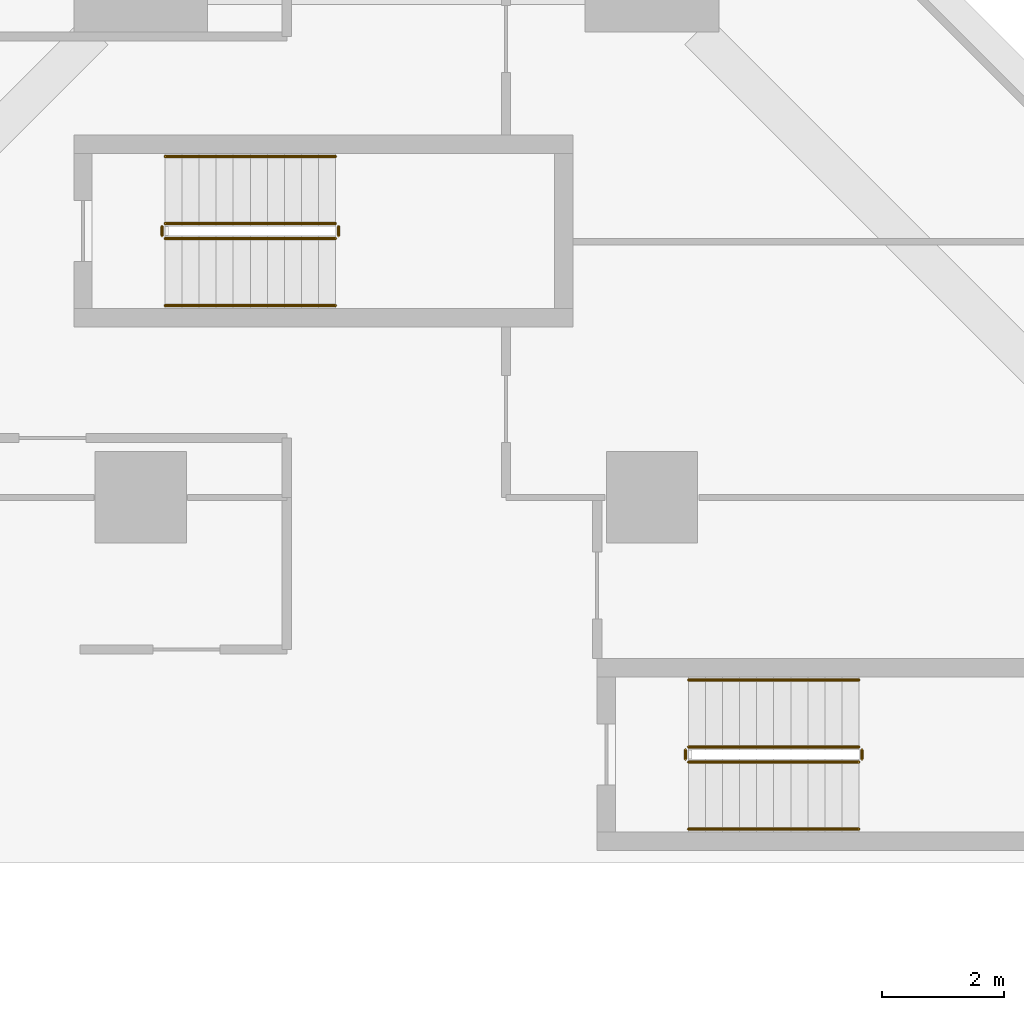
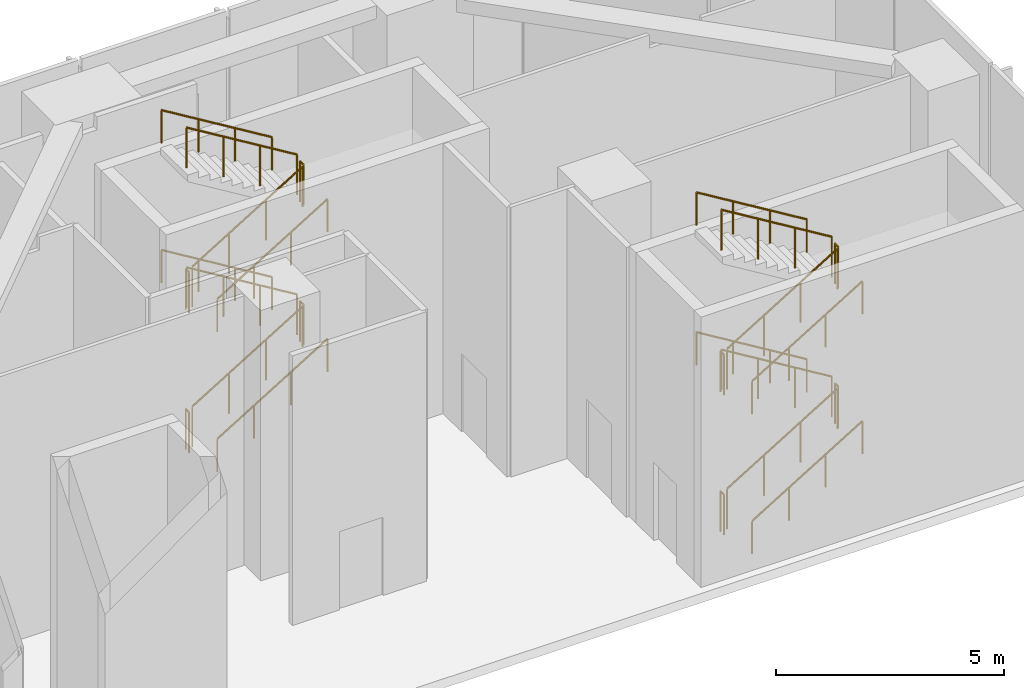
# One storey, part 16 of 16: 24 railings.
"""IFC4 building model written with IfcOpenShell, lengths in metres."""

from ifc_helpers import new_model, si_unit, direction, frame, origin, origin_2d, place, context, subcontext, project, spatial, circle, extrude, material, type_object, element, save


model = new_model("IFC4")

# Units and contexts
model_context = context("Model", 3, precision=1e-05, world=origin(), true_north=direction((0.0, 1.0)))
body_context = subcontext(model_context, "Body", "Model", "MODEL_VIEW")
ifc_project = project(units=[si_unit("LENGTHUNIT", "METRE"), si_unit("AREAUNIT", "SQUARE_METRE"), si_unit("VOLUMEUNIT", "CUBIC_METRE"), si_unit("PLANEANGLEUNIT", "RADIAN"), si_unit("MASSUNIT", "GRAM", prefix="KILO")], contexts=[model_context])

# Site, building, storey
site_placement = place(None, origin())
site = spatial("IfcSite", under=ifc_project, at=site_placement, CompositionType="ELEMENT")
building_placement = place(site_placement, origin())
building = spatial("IfcBuilding", under=site, at=building_placement, Name="Brevane Broadcast Tower", CompositionType="ELEMENT")
storey_placement = place(building_placement, frame((0.0, 0.0, 12.5)))
storey = spatial("IfcBuildingStorey", under=building, at=storey_placement, Name="L02", CompositionType="ELEMENT", Elevation=12.5)

# Railings
ifc_material = material(Name="Steel S355", Category="steel")
railing_type_1 = type_object("IfcRailingType", Name="Exit stair guard", PredefinedType="GUARDRAIL", material=ifc_material)
railing_1_placement = place(storey_placement, frame((17.39990234375, 54.449951171875, 0.17041015625)))
element("IfcRailing", 1, at=railing_1_placement, inside=storey, type_object=railing_type_1, Name="L02 ST-5 stair guard 1", PredefinedType="GUARDRAIL", context=body_context, shape_type="SweptSolid", body=[
    extrude(circle(Radius=0.02392578125, at=origin_2d()), frame((0.0, 0.0, 1.076171875), z_axis=(0.854169791009, 0.0, 0.51999420009), x_axis=(0.0, 1.0, 0.0)), (0.0, 0.0, 1.0), 3.278076171875),
    extrude(circle(Radius=0.02099609375, at=origin_2d()), origin(), (0.0, 0.0, 1.0), 1.052001953125),
    extrude(circle(Radius=0.02099609375, at=origin_2d()), frame((0.933349609375, 0.0, 0.568115234375)), (0.0, 0.0, 1.0), 1.052001953125),
    extrude(circle(Radius=0.02099609375, at=origin_2d()), frame((1.86669921875, 0.0, 1.136474609375)), (0.0, 0.0, 1.0), 1.052001953125),
    extrude(circle(Radius=0.02099609375, at=origin_2d()), frame((2.800048828125, 0.0, 1.70458984375)), (0.0, 0.0, 1.0), 1.052001953125),
])
railing_2_placement = place(storey_placement, frame((20.25, 54.5, 1.875)))
element("IfcRailing", 2, at=railing_2_placement, inside=storey, type_object=railing_type_1, Name="L02 ST-5 stair guard 2", PredefinedType="GUARDRAIL", context=body_context, shape_type="SweptSolid", body=[
    extrude(circle(Radius=0.02392578125, at=origin_2d()), frame((0.0, 0.0, 1.076171875), z_axis=(0.0, 1.0, 0.0), x_axis=(-1.0, 0.0, 0.0)), (0.0, 0.0, 1.0), 0.14990234375),
    extrude(circle(Radius=0.02099609375, at=origin_2d()), origin(), (0.0, 0.0, 1.0), 1.052001953125),
    extrude(circle(Radius=0.02099609375, at=origin_2d()), frame((0.0, 0.14990234375, 0.0)), (0.0, 0.0, 1.0), 1.052001953125),
])
railing_3_placement = place(storey_placement, frame((20.199951171875, 54.699951171875, 2.04541015625)))
element("IfcRailing", 3, at=railing_3_placement, inside=storey, type_object=railing_type_1, Name="L02 ST-5 stair guard 3", PredefinedType="GUARDRAIL", context=body_context, shape_type="SweptSolid", body=[
    extrude(circle(Radius=0.02392578125, at=origin_2d()), frame((0.0, 0.0, 1.076171875), z_axis=(-0.854169791009, 0.0, 0.51999420009), x_axis=(0.0, -1.0, 0.0)), (0.0, 0.0, 1.0), 3.278076171875),
    extrude(circle(Radius=0.02099609375, at=origin_2d()), origin(), (0.0, 0.0, 1.0), 1.052001953125),
    extrude(circle(Radius=0.02099609375, at=origin_2d()), frame((-0.933349609375, 0.0, 0.568115234375)), (0.0, 0.0, 1.0), 1.052001953125),
    extrude(circle(Radius=0.02099609375, at=origin_2d()), frame((-1.86669921875, 0.0, 1.136474609375)), (0.0, 0.0, 1.0), 1.052001953125),
    extrude(circle(Radius=0.02099609375, at=origin_2d()), frame((-2.800048828125, 0.0, 1.70458984375)), (0.0, 0.0, 1.0), 1.052001953125),
])
railing_4_placement = place(storey_placement, frame((17.35009765625, 54.5, 3.75)))
element("IfcRailing", 4, at=railing_4_placement, inside=storey, type_object=railing_type_1, Name="L02 ST-5 stair guard 4", PredefinedType="GUARDRAIL", context=body_context, shape_type="SweptSolid", body=[
    extrude(circle(Radius=0.02392578125, at=origin_2d()), frame((0.0, 0.0, 1.076171875), z_axis=(0.0, 1.0, 0.0), x_axis=(-1.0, 0.0, 0.0)), (0.0, 0.0, 1.0), 0.14990234375),
    extrude(circle(Radius=0.02099609375, at=origin_2d()), origin(), (0.0, 0.0, 1.0), 1.052001953125),
    extrude(circle(Radius=0.02099609375, at=origin_2d()), frame((0.0, 0.14990234375, 0.0)), (0.0, 0.0, 1.0), 1.052001953125),
])
railing_5_placement = place(storey_placement, frame((17.39990234375, 54.449951171875, 3.92041015625)))
element("IfcRailing", 5, at=railing_5_placement, inside=storey, type_object=railing_type_1, Name="L02 ST-5 stair guard 5", PredefinedType="GUARDRAIL", context=body_context, shape_type="SweptSolid", body=[
    extrude(circle(Radius=0.02392578125, at=origin_2d()), frame((0.0, 0.0, 1.076171875), z_axis=(0.854169791009, 0.0, 0.51999420009), x_axis=(0.0, 1.0, 0.0)), (0.0, 0.0, 1.0), 3.278076171875),
    extrude(circle(Radius=0.02099609375, at=origin_2d()), origin(), (0.0, 0.0, 1.0), 1.052001953125),
    extrude(circle(Radius=0.02099609375, at=origin_2d()), frame((0.933349609375, 0.0, 0.568115234375)), (0.0, 0.0, 1.0), 1.052001953125),
    extrude(circle(Radius=0.02099609375, at=origin_2d()), frame((1.86669921875, 0.0, 1.136474609375)), (0.0, 0.0, 1.0), 1.052001953125),
    extrude(circle(Radius=0.02099609375, at=origin_2d()), frame((2.800048828125, 0.0, 1.70458984375)), (0.0, 0.0, 1.0), 1.052001953125),
])
railing_6_placement = place(storey_placement, frame((20.25, 54.5, 5.625)))
element("IfcRailing", 6, at=railing_6_placement, inside=storey, type_object=railing_type_1, Name="L02 ST-5 stair guard 6", PredefinedType="GUARDRAIL", context=body_context, shape_type="SweptSolid", body=[
    extrude(circle(Radius=0.02392578125, at=origin_2d()), frame((0.0, 0.0, 1.076171875), z_axis=(0.0, 1.0, 0.0), x_axis=(-1.0, 0.0, 0.0)), (0.0, 0.0, 1.0), 0.14990234375),
    extrude(circle(Radius=0.02099609375, at=origin_2d()), origin(), (0.0, 0.0, 1.0), 1.052001953125),
    extrude(circle(Radius=0.02099609375, at=origin_2d()), frame((0.0, 0.14990234375, 0.0)), (0.0, 0.0, 1.0), 1.052001953125),
])
railing_7_placement = place(storey_placement, frame((20.199951171875, 54.699951171875, 5.79541015625)))
element("IfcRailing", 7, at=railing_7_placement, inside=storey, type_object=railing_type_1, Name="L02 ST-5 stair guard 7", PredefinedType="GUARDRAIL", context=body_context, shape_type="SweptSolid", body=[
    extrude(circle(Radius=0.02392578125, at=origin_2d()), frame((0.0, 0.0, 1.076171875), z_axis=(-0.854169791009, 0.0, 0.51999420009), x_axis=(0.0, -1.0, 0.0)), (0.0, 0.0, 1.0), 3.278076171875),
    extrude(circle(Radius=0.02099609375, at=origin_2d()), origin(), (0.0, 0.0, 1.0), 1.052001953125),
    extrude(circle(Radius=0.02099609375, at=origin_2d()), frame((-0.933349609375, 0.0, 0.568115234375)), (0.0, 0.0, 1.0), 1.052001953125),
    extrude(circle(Radius=0.02099609375, at=origin_2d()), frame((-1.86669921875, 0.0, 1.136474609375)), (0.0, 0.0, 1.0), 1.052001953125),
    extrude(circle(Radius=0.02099609375, at=origin_2d()), frame((-2.800048828125, 0.0, 1.70458984375)), (0.0, 0.0, 1.0), 1.052001953125),
])
railing_8_placement = place(storey_placement, frame((17.35009765625, 54.5, 0.0)))
element("IfcRailing", 8, at=railing_8_placement, inside=storey, type_object=railing_type_1, Name="L02 ST-5 stair guard 8", PredefinedType="GUARDRAIL", context=body_context, shape_type="SweptSolid", body=[
    extrude(circle(Radius=0.02392578125, at=origin_2d()), frame((0.0, 0.0, 1.076171875), z_axis=(0.0, 1.0, 0.0), x_axis=(-1.0, 0.0, 0.0)), (0.0, 0.0, 1.0), 0.14990234375),
    extrude(circle(Radius=0.02099609375, at=origin_2d()), origin(), (0.0, 0.0, 1.0), 1.052001953125),
    extrude(circle(Radius=0.02099609375, at=origin_2d()), frame((0.0, 0.14990234375, 0.0)), (0.0, 0.0, 1.0), 1.052001953125),
])
railing_9_placement = place(storey_placement, frame((8.800048828125, 63.050048828125, 0.17041015625)))
element("IfcRailing", 9, at=railing_9_placement, inside=storey, type_object=railing_type_1, Name="L02 ST-6 stair guard 1", PredefinedType="GUARDRAIL", context=body_context, shape_type="SweptSolid", body=[
    extrude(circle(Radius=0.02392578125, at=origin_2d()), frame((0.0, 0.0, 1.076171875), z_axis=(0.854169791009, 0.0, 0.51999420009), x_axis=(0.0, 1.0, 0.0)), (0.0, 0.0, 1.0), 3.278076171875),
    extrude(circle(Radius=0.02099609375, at=origin_2d()), origin(), (0.0, 0.0, 1.0), 1.052001953125),
    extrude(circle(Radius=0.02099609375, at=origin_2d()), frame((0.933349609375, 0.0, 0.568115234375)), (0.0, 0.0, 1.0), 1.052001953125),
    extrude(circle(Radius=0.02099609375, at=origin_2d()), frame((1.86669921875, 0.0, 1.136474609375)), (0.0, 0.0, 1.0), 1.052001953125),
    extrude(circle(Radius=0.02099609375, at=origin_2d()), frame((2.800048828125, 0.0, 1.70458984375)), (0.0, 0.0, 1.0), 1.052001953125),
])
railing_10_placement = place(storey_placement, frame((11.64990234375, 63.10009765625, 1.875)))
element("IfcRailing", 10, at=railing_10_placement, inside=storey, type_object=railing_type_1, Name="L02 ST-6 stair guard 2", PredefinedType="GUARDRAIL", context=body_context, shape_type="SweptSolid", body=[
    extrude(circle(Radius=0.02392578125, at=origin_2d()), frame((0.0, 0.0, 1.076171875), z_axis=(0.0, 1.0, 0.0), x_axis=(-1.0, 0.0, 0.0)), (0.0, 0.0, 1.0), 0.14990234375),
    extrude(circle(Radius=0.02099609375, at=origin_2d()), origin(), (0.0, 0.0, 1.0), 1.052001953125),
    extrude(circle(Radius=0.02099609375, at=origin_2d()), frame((0.0, 0.14990234375, 0.0)), (0.0, 0.0, 1.0), 1.052001953125),
])
railing_11_placement = place(storey_placement, frame((11.60009765625, 63.300048828125, 2.04541015625)))
element("IfcRailing", 11, at=railing_11_placement, inside=storey, type_object=railing_type_1, Name="L02 ST-6 stair guard 3", PredefinedType="GUARDRAIL", context=body_context, shape_type="SweptSolid", body=[
    extrude(circle(Radius=0.02392578125, at=origin_2d()), frame((0.0, 0.0, 1.076171875), z_axis=(-0.854169791009, 0.0, 0.51999420009), x_axis=(0.0, -1.0, 0.0)), (0.0, 0.0, 1.0), 3.278076171875),
    extrude(circle(Radius=0.02099609375, at=origin_2d()), origin(), (0.0, 0.0, 1.0), 1.052001953125),
    extrude(circle(Radius=0.02099609375, at=origin_2d()), frame((-0.933349609375, 0.0, 0.568115234375)), (0.0, 0.0, 1.0), 1.052001953125),
    extrude(circle(Radius=0.02099609375, at=origin_2d()), frame((-1.86669921875, 0.0, 1.136474609375)), (0.0, 0.0, 1.0), 1.052001953125),
    extrude(circle(Radius=0.02099609375, at=origin_2d()), frame((-2.800048828125, 0.0, 1.70458984375)), (0.0, 0.0, 1.0), 1.052001953125),
])
railing_12_placement = place(storey_placement, frame((8.75, 63.10009765625, 3.75)))
element("IfcRailing", 12, at=railing_12_placement, inside=storey, type_object=railing_type_1, Name="L02 ST-6 stair guard 4", PredefinedType="GUARDRAIL", context=body_context, shape_type="SweptSolid", body=[
    extrude(circle(Radius=0.02392578125, at=origin_2d()), frame((0.0, 0.0, 1.076171875), z_axis=(0.0, 1.0, 0.0), x_axis=(-1.0, 0.0, 0.0)), (0.0, 0.0, 1.0), 0.14990234375),
    extrude(circle(Radius=0.02099609375, at=origin_2d()), origin(), (0.0, 0.0, 1.0), 1.052001953125),
    extrude(circle(Radius=0.02099609375, at=origin_2d()), frame((0.0, 0.14990234375, 0.0)), (0.0, 0.0, 1.0), 1.052001953125),
])
railing_13_placement = place(storey_placement, frame((8.800048828125, 63.050048828125, 3.92041015625)))
element("IfcRailing", 13, at=railing_13_placement, inside=storey, type_object=railing_type_1, Name="L02 ST-6 stair guard 5", PredefinedType="GUARDRAIL", context=body_context, shape_type="SweptSolid", body=[
    extrude(circle(Radius=0.02392578125, at=origin_2d()), frame((0.0, 0.0, 1.076171875), z_axis=(0.854169791009, 0.0, 0.51999420009), x_axis=(0.0, 1.0, 0.0)), (0.0, 0.0, 1.0), 3.278076171875),
    extrude(circle(Radius=0.02099609375, at=origin_2d()), origin(), (0.0, 0.0, 1.0), 1.052001953125),
    extrude(circle(Radius=0.02099609375, at=origin_2d()), frame((0.933349609375, 0.0, 0.568115234375)), (0.0, 0.0, 1.0), 1.052001953125),
    extrude(circle(Radius=0.02099609375, at=origin_2d()), frame((1.86669921875, 0.0, 1.136474609375)), (0.0, 0.0, 1.0), 1.052001953125),
    extrude(circle(Radius=0.02099609375, at=origin_2d()), frame((2.800048828125, 0.0, 1.70458984375)), (0.0, 0.0, 1.0), 1.052001953125),
])
railing_14_placement = place(storey_placement, frame((11.64990234375, 63.10009765625, 5.625)))
element("IfcRailing", 14, at=railing_14_placement, inside=storey, type_object=railing_type_1, Name="L02 ST-6 stair guard 6", PredefinedType="GUARDRAIL", context=body_context, shape_type="SweptSolid", body=[
    extrude(circle(Radius=0.02392578125, at=origin_2d()), frame((0.0, 0.0, 1.076171875), z_axis=(0.0, 1.0, 0.0), x_axis=(-1.0, 0.0, 0.0)), (0.0, 0.0, 1.0), 0.14990234375),
    extrude(circle(Radius=0.02099609375, at=origin_2d()), origin(), (0.0, 0.0, 1.0), 1.052001953125),
    extrude(circle(Radius=0.02099609375, at=origin_2d()), frame((0.0, 0.14990234375, 0.0)), (0.0, 0.0, 1.0), 1.052001953125),
])
railing_15_placement = place(storey_placement, frame((11.60009765625, 63.300048828125, 5.79541015625)))
element("IfcRailing", 15, at=railing_15_placement, inside=storey, type_object=railing_type_1, Name="L02 ST-6 stair guard 7", PredefinedType="GUARDRAIL", context=body_context, shape_type="SweptSolid", body=[
    extrude(circle(Radius=0.02392578125, at=origin_2d()), frame((0.0, 0.0, 1.076171875), z_axis=(-0.854169791009, 0.0, 0.51999420009), x_axis=(0.0, -1.0, 0.0)), (0.0, 0.0, 1.0), 3.278076171875),
    extrude(circle(Radius=0.02099609375, at=origin_2d()), origin(), (0.0, 0.0, 1.0), 1.052001953125),
    extrude(circle(Radius=0.02099609375, at=origin_2d()), frame((-0.933349609375, 0.0, 0.568115234375)), (0.0, 0.0, 1.0), 1.052001953125),
    extrude(circle(Radius=0.02099609375, at=origin_2d()), frame((-1.86669921875, 0.0, 1.136474609375)), (0.0, 0.0, 1.0), 1.052001953125),
    extrude(circle(Radius=0.02099609375, at=origin_2d()), frame((-2.800048828125, 0.0, 1.70458984375)), (0.0, 0.0, 1.0), 1.052001953125),
])
railing_16_placement = place(storey_placement, frame((8.75, 63.10009765625, 0.0)))
element("IfcRailing", 16, at=railing_16_placement, inside=storey, type_object=railing_type_1, Name="L02 ST-6 stair guard 8", PredefinedType="GUARDRAIL", context=body_context, shape_type="SweptSolid", body=[
    extrude(circle(Radius=0.02392578125, at=origin_2d()), frame((0.0, 0.0, 1.076171875), z_axis=(0.0, 1.0, 0.0), x_axis=(-1.0, 0.0, 0.0)), (0.0, 0.0, 1.0), 0.14990234375),
    extrude(circle(Radius=0.02099609375, at=origin_2d()), origin(), (0.0, 0.0, 1.0), 1.052001953125),
    extrude(circle(Radius=0.02099609375, at=origin_2d()), frame((0.0, 0.14990234375, 0.0)), (0.0, 0.0, 1.0), 1.052001953125),
])
railing_type_2 = type_object("IfcRailingType", Name="Exit stair handrail", PredefinedType="HANDRAIL", material=ifc_material)
railing_17_placement = place(storey_placement, frame((17.39990234375, 53.35009765625, 0.17041015625)))
element("IfcRailing", 17, at=railing_17_placement, inside=storey, type_object=railing_type_2, Name="L02 ST-5 stair handrail 1", PredefinedType="HANDRAIL", context=body_context, shape_type="SweptSolid", body=[
    extrude(circle(Radius=0.02392578125, at=origin_2d()), frame((0.0, 0.0, 0.8759765625), z_axis=(0.854169791009, 0.0, 0.51999420009), x_axis=(0.0, 1.0, 0.0)), (0.0, 0.0, 1.0), 3.278076171875),
    extrude(circle(Radius=0.02099609375, at=origin_2d()), origin(), (0.0, 0.0, 1.0), 0.851806640625),
    extrude(circle(Radius=0.02099609375, at=origin_2d()), frame((0.933349609375, 0.0, 0.568115234375)), (0.0, 0.0, 1.0), 0.851806640625),
    extrude(circle(Radius=0.02099609375, at=origin_2d()), frame((1.86669921875, 0.0, 1.136474609375)), (0.0, 0.0, 1.0), 0.851806640625),
    extrude(circle(Radius=0.02099609375, at=origin_2d()), frame((2.800048828125, 0.0, 1.70458984375)), (0.0, 0.0, 1.0), 0.851806640625),
])
railing_18_placement = place(storey_placement, frame((20.199951171875, 55.800048828125, 2.04541015625)))
element("IfcRailing", 18, at=railing_18_placement, inside=storey, type_object=railing_type_2, Name="L02 ST-5 stair handrail 2", PredefinedType="HANDRAIL", context=body_context, shape_type="SweptSolid", body=[
    extrude(circle(Radius=0.02392578125, at=origin_2d()), frame((0.0, 0.0, 0.8759765625), z_axis=(-0.854169791009, 0.0, 0.51999420009), x_axis=(0.0, -1.0, 0.0)), (0.0, 0.0, 1.0), 3.278076171875),
    extrude(circle(Radius=0.02099609375, at=origin_2d()), origin(), (0.0, 0.0, 1.0), 0.851806640625),
    extrude(circle(Radius=0.02099609375, at=origin_2d()), frame((-0.933349609375, 0.0, 0.568115234375)), (0.0, 0.0, 1.0), 0.851806640625),
    extrude(circle(Radius=0.02099609375, at=origin_2d()), frame((-1.86669921875, 0.0, 1.136474609375)), (0.0, 0.0, 1.0), 0.851806640625),
    extrude(circle(Radius=0.02099609375, at=origin_2d()), frame((-2.800048828125, 0.0, 1.70458984375)), (0.0, 0.0, 1.0), 0.851806640625),
])
railing_19_placement = place(storey_placement, frame((17.39990234375, 53.35009765625, 3.92041015625)))
element("IfcRailing", 19, at=railing_19_placement, inside=storey, type_object=railing_type_2, Name="L02 ST-5 stair handrail 3", PredefinedType="HANDRAIL", context=body_context, shape_type="SweptSolid", body=[
    extrude(circle(Radius=0.02392578125, at=origin_2d()), frame((0.0, 0.0, 0.8759765625), z_axis=(0.854169791009, 0.0, 0.51999420009), x_axis=(0.0, 1.0, 0.0)), (0.0, 0.0, 1.0), 3.278076171875),
    extrude(circle(Radius=0.02099609375, at=origin_2d()), origin(), (0.0, 0.0, 1.0), 0.851806640625),
    extrude(circle(Radius=0.02099609375, at=origin_2d()), frame((0.933349609375, 0.0, 0.568115234375)), (0.0, 0.0, 1.0), 0.851806640625),
    extrude(circle(Radius=0.02099609375, at=origin_2d()), frame((1.86669921875, 0.0, 1.136474609375)), (0.0, 0.0, 1.0), 0.851806640625),
    extrude(circle(Radius=0.02099609375, at=origin_2d()), frame((2.800048828125, 0.0, 1.70458984375)), (0.0, 0.0, 1.0), 0.851806640625),
])
railing_20_placement = place(storey_placement, frame((20.199951171875, 55.800048828125, 5.79541015625)))
element("IfcRailing", 20, at=railing_20_placement, inside=storey, type_object=railing_type_2, Name="L02 ST-5 stair handrail 4", PredefinedType="HANDRAIL", context=body_context, shape_type="SweptSolid", body=[
    extrude(circle(Radius=0.02392578125, at=origin_2d()), frame((0.0, 0.0, 0.8759765625), z_axis=(-0.854169791009, 0.0, 0.51999420009), x_axis=(0.0, -1.0, 0.0)), (0.0, 0.0, 1.0), 3.278076171875),
    extrude(circle(Radius=0.02099609375, at=origin_2d()), origin(), (0.0, 0.0, 1.0), 0.851806640625),
    extrude(circle(Radius=0.02099609375, at=origin_2d()), frame((-0.933349609375, 0.0, 0.568115234375)), (0.0, 0.0, 1.0), 0.851806640625),
    extrude(circle(Radius=0.02099609375, at=origin_2d()), frame((-1.86669921875, 0.0, 1.136474609375)), (0.0, 0.0, 1.0), 0.851806640625),
    extrude(circle(Radius=0.02099609375, at=origin_2d()), frame((-2.800048828125, 0.0, 1.70458984375)), (0.0, 0.0, 1.0), 0.851806640625),
])
railing_21_placement = place(storey_placement, frame((8.800048828125, 61.949951171875, 0.17041015625)))
element("IfcRailing", 21, at=railing_21_placement, inside=storey, type_object=railing_type_2, Name="L02 ST-6 stair handrail 1", PredefinedType="HANDRAIL", context=body_context, shape_type="SweptSolid", body=[
    extrude(circle(Radius=0.02392578125, at=origin_2d()), frame((0.0, 0.0, 0.8759765625), z_axis=(0.854169791009, 0.0, 0.51999420009), x_axis=(0.0, 1.0, 0.0)), (0.0, 0.0, 1.0), 3.278076171875),
    extrude(circle(Radius=0.02099609375, at=origin_2d()), origin(), (0.0, 0.0, 1.0), 0.851806640625),
    extrude(circle(Radius=0.02099609375, at=origin_2d()), frame((0.933349609375, 0.0, 0.568115234375)), (0.0, 0.0, 1.0), 0.851806640625),
    extrude(circle(Radius=0.02099609375, at=origin_2d()), frame((1.86669921875, 0.0, 1.136474609375)), (0.0, 0.0, 1.0), 0.851806640625),
    extrude(circle(Radius=0.02099609375, at=origin_2d()), frame((2.800048828125, 0.0, 1.70458984375)), (0.0, 0.0, 1.0), 0.851806640625),
])
railing_22_placement = place(storey_placement, frame((11.60009765625, 64.39990234375, 2.04541015625)))
element("IfcRailing", 22, at=railing_22_placement, inside=storey, type_object=railing_type_2, Name="L02 ST-6 stair handrail 2", PredefinedType="HANDRAIL", context=body_context, shape_type="SweptSolid", body=[
    extrude(circle(Radius=0.02392578125, at=origin_2d()), frame((0.0, 0.0, 0.8759765625), z_axis=(-0.854169791009, 0.0, 0.51999420009), x_axis=(0.0, -1.0, 0.0)), (0.0, 0.0, 1.0), 3.278076171875),
    extrude(circle(Radius=0.02099609375, at=origin_2d()), origin(), (0.0, 0.0, 1.0), 0.851806640625),
    extrude(circle(Radius=0.02099609375, at=origin_2d()), frame((-0.933349609375, 0.0, 0.568115234375)), (0.0, 0.0, 1.0), 0.851806640625),
    extrude(circle(Radius=0.02099609375, at=origin_2d()), frame((-1.86669921875, 0.0, 1.136474609375)), (0.0, 0.0, 1.0), 0.851806640625),
    extrude(circle(Radius=0.02099609375, at=origin_2d()), frame((-2.800048828125, 0.0, 1.70458984375)), (0.0, 0.0, 1.0), 0.851806640625),
])
railing_23_placement = place(storey_placement, frame((8.800048828125, 61.949951171875, 3.92041015625)))
element("IfcRailing", 23, at=railing_23_placement, inside=storey, type_object=railing_type_2, Name="L02 ST-6 stair handrail 3", PredefinedType="HANDRAIL", context=body_context, shape_type="SweptSolid", body=[
    extrude(circle(Radius=0.02392578125, at=origin_2d()), frame((0.0, 0.0, 0.8759765625), z_axis=(0.854169791009, 0.0, 0.51999420009), x_axis=(0.0, 1.0, 0.0)), (0.0, 0.0, 1.0), 3.278076171875),
    extrude(circle(Radius=0.02099609375, at=origin_2d()), origin(), (0.0, 0.0, 1.0), 0.851806640625),
    extrude(circle(Radius=0.02099609375, at=origin_2d()), frame((0.933349609375, 0.0, 0.568115234375)), (0.0, 0.0, 1.0), 0.851806640625),
    extrude(circle(Radius=0.02099609375, at=origin_2d()), frame((1.86669921875, 0.0, 1.136474609375)), (0.0, 0.0, 1.0), 0.851806640625),
    extrude(circle(Radius=0.02099609375, at=origin_2d()), frame((2.800048828125, 0.0, 1.70458984375)), (0.0, 0.0, 1.0), 0.851806640625),
])
railing_24_placement = place(storey_placement, frame((11.60009765625, 64.39990234375, 5.79541015625)))
element("IfcRailing", 24, at=railing_24_placement, inside=storey, type_object=railing_type_2, Name="L02 ST-6 stair handrail 4", PredefinedType="HANDRAIL", context=body_context, shape_type="SweptSolid", body=[
    extrude(circle(Radius=0.02392578125, at=origin_2d()), frame((0.0, 0.0, 0.8759765625), z_axis=(-0.854169791009, 0.0, 0.51999420009), x_axis=(0.0, -1.0, 0.0)), (0.0, 0.0, 1.0), 3.278076171875),
    extrude(circle(Radius=0.02099609375, at=origin_2d()), origin(), (0.0, 0.0, 1.0), 0.851806640625),
    extrude(circle(Radius=0.02099609375, at=origin_2d()), frame((-0.933349609375, 0.0, 0.568115234375)), (0.0, 0.0, 1.0), 0.851806640625),
    extrude(circle(Radius=0.02099609375, at=origin_2d()), frame((-1.86669921875, 0.0, 1.136474609375)), (0.0, 0.0, 1.0), 0.851806640625),
    extrude(circle(Radius=0.02099609375, at=origin_2d()), frame((-2.800048828125, 0.0, 1.70458984375)), (0.0, 0.0, 1.0), 0.851806640625),
])

save(model, "model.ifc")
